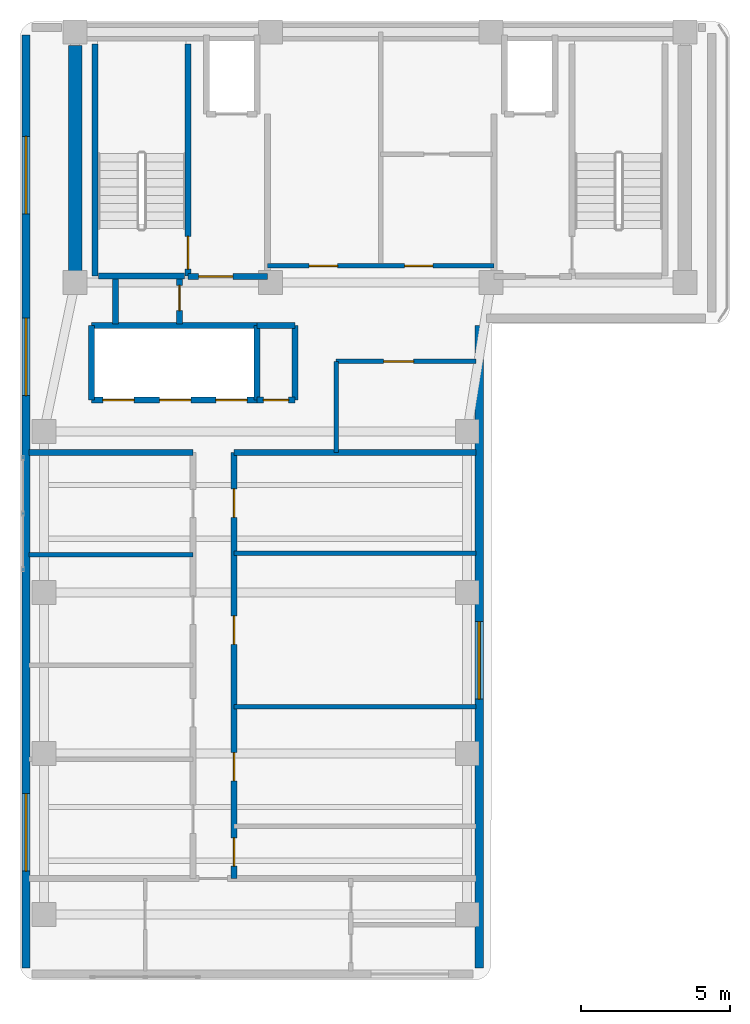
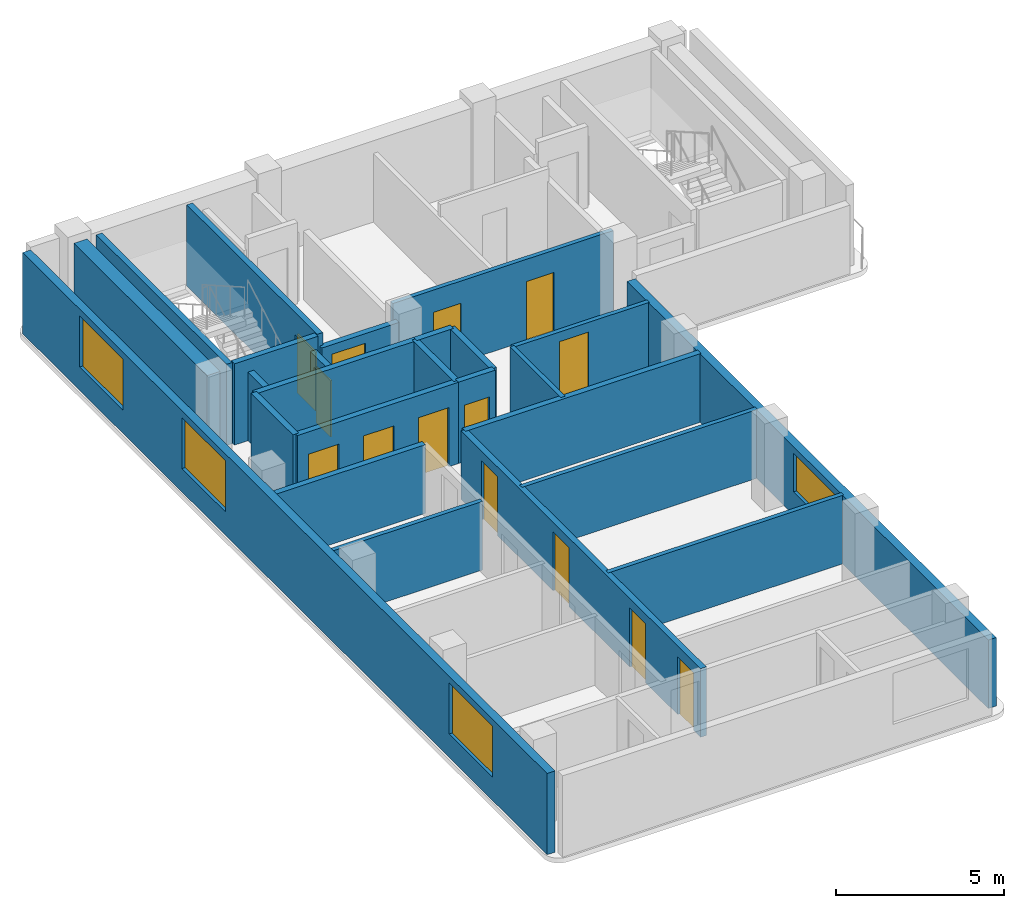
# One storey, part 7 of 9: 25 walls, 14 doors, 4 windows, 18 openings.
"""IFC4 building model written with IfcOpenShell, lengths in metres."""

from ifc_helpers import new_model, si_unit, direction, frame, frame_2d, origin, place, context, subcontext, project, spatial, rectangle, extrude, material, layer, layer_set, type_object, element, fill, save


model = new_model("IFC4")

# Units and contexts
model_context = context("Model", 3, precision=1e-05, world=origin(), true_north=direction((0.0, 1.0)))
body_context = subcontext(model_context, "Body", "Model", "MODEL_VIEW")
ifc_project = project(units=[si_unit("LENGTHUNIT", "METRE"), si_unit("AREAUNIT", "SQUARE_METRE"), si_unit("VOLUMEUNIT", "CUBIC_METRE"), si_unit("PLANEANGLEUNIT", "RADIAN"), si_unit("MASSUNIT", "GRAM", prefix="KILO")], contexts=[model_context])

# Site, building, storey
site_placement = place(None, origin())
site = spatial("IfcSite", under=ifc_project, at=site_placement, CompositionType="ELEMENT")
building_placement = place(site_placement, origin())
building = spatial("IfcBuilding", under=site, at=building_placement, Name="Kuzgunbayir Cultural Tower", CompositionType="ELEMENT")
storey_placement = place(building_placement, frame((0.0, 0.0, 247.199951171875)))
storey = spatial("IfcBuildingStorey", under=building, at=storey_placement, Name="L73", CompositionType="ELEMENT", Elevation=247.199951171875)

# Wall
ifc_material_1 = material(Name="Concrete C50/60", Category="concrete")
ifc_layer_1 = layer(ifc_material_1, 0.449951171875)
ifc_layer_set_1 = layer_set([ifc_layer_1], Name="Concrete C50/60")
wall_type_1 = type_object("IfcWallType", Name="WAL-CORE-450", PredefinedType="SHEAR", material=ifc_layer_set_1)
wall_1_placement = place(storey_placement, frame((6.449951171875, 33.800048828125, 0.0), z_axis=(0.0, 0.0, 1.0), x_axis=(0.0, 1.0, 0.0)))
element("IfcWall", 1, at=wall_1_placement, inside=storey, type_object=wall_type_1, Name="L73 T1 Core West Shear Wall", PredefinedType="SHEAR", context=body_context, shape_type="SweptSolid", body=[
    extrude(rectangle(XDim=7.949951171875, YDim=0.449951171875, at=frame_2d((3.97509765625, 0.0))), origin(), (0.0, 0.0, 1.0), 2.9599609375),
])

# Wall, openings, windows
ifc_material_2 = material(Name="Anatolian Cream Limestone", Category="masonry")
ifc_layer_2 = layer(ifc_material_2, 0.280029296875)
ifc_layer_set_2 = layer_set([ifc_layer_2], Name="Anatolian Cream Limestone")
wall_type_2 = type_object("IfcWallType", Name="WAL-EXT-STONE-280", PredefinedType="STANDARD", material=ifc_layer_set_2)
wall_2_placement = place(storey_placement, frame((4.800048828125, 42.10009765625, 0.0), z_axis=(0.0, 0.0, 1.0), x_axis=(0.0, -1.0, 0.0)))
wall_2 = element("IfcWall", 2, at=wall_2_placement, inside=storey, type_object=wall_type_2, Name="L73 Wing A West Limestone Wall", PredefinedType="STANDARD", context=body_context, shape_type="SweptSolid", body=[
    extrude(rectangle(XDim=31.300048828125, YDim=0.280029296875, at=frame_2d((15.64990234375, 0.0))), origin(), (0.0, 0.0, 1.0), 2.9599609375),
])
opening_1_placement = place(wall_2_placement, frame((25.449951171875, 0.0, 0.85009765625)))
opening_1 = element("IfcOpeningElement", 3, at=opening_1_placement, cuts=wall_2, Name="Opening WK-26", PredefinedType="OPENING", context=body_context, shape_type="SweptSolid", body=[
    extrude(rectangle(XDim=2.60009765625, YDim=1.860107421875, at=frame_2d((1.300048828125, 0.93017578125))), frame((0.0, 0.14990234375, 0.0), z_axis=(0.0, -1.0, 0.0), x_axis=(1.0, 0.0, 0.0)), (0.0, 0.0, 1.0), 0.300048828125),
])
opening_2_placement = place(wall_2_placement, frame((9.5, 0.0, 0.85009765625)))
opening_2 = element("IfcOpeningElement", 4, at=opening_2_placement, cuts=wall_2, Name="Opening WK-26", PredefinedType="OPENING", context=body_context, shape_type="SweptSolid", body=[
    extrude(rectangle(XDim=2.60009765625, YDim=1.860107421875, at=frame_2d((1.300048828125, 0.93017578125))), frame((0.0, 0.14990234375, 0.0), z_axis=(0.0, -1.0, 0.0), x_axis=(1.0, 0.0, 0.0)), (0.0, 0.0, 1.0), 0.300048828125),
])
opening_3_placement = place(wall_2_placement, frame((3.39990234375, 0.0, 0.85009765625)))
opening_3 = element("IfcOpeningElement", 5, at=opening_3_placement, cuts=wall_2, Name="Opening WK-26", PredefinedType="OPENING", context=body_context, shape_type="SweptSolid", body=[
    extrude(rectangle(XDim=2.60009765625, YDim=1.860107421875, at=frame_2d((1.300048828125, 0.93017578125))), frame((0.0, 0.14990234375, 0.0), z_axis=(0.0, -1.0, 0.0), x_axis=(1.0, 0.0, 0.0)), (0.0, 0.0, 1.0), 0.300048828125),
])
ifc_material_3 = material(Name="Solar-Control Triple Glazing", Category="glass")
window_type = type_object("IfcWindowType", Name="WIN-CROWN-26", PartitioningType="SINGLE_PANEL", PredefinedType="WINDOW", material=ifc_material_3)
window_1_placement = place(opening_1_placement, origin())
window_1 = element("IfcWindow", 6, at=window_1_placement, inside=storey, type_object=window_type, Name="L73 WAW Facade Window 2", OverallHeight=1.860107421875, OverallWidth=2.60009765625, PartitioningType="SINGLE_PANEL", PredefinedType="WINDOW", context=body_context, shape_type="SweptSolid", body=[
    extrude(rectangle(XDim=2.60009765625, YDim=1.860107421875, at=frame_2d((1.300048828125, 0.93017578125))), frame((0.0, 0.030029296875, 0.0), z_axis=(0.0, -1.0, 0.0), x_axis=(1.0, 0.0, 0.0)), (0.0, 0.0, 1.0), 0.06005859375),
])
fill(opening_1, window_1)
window_2_placement = place(opening_2_placement, origin())
window_2 = element("IfcWindow", 7, at=window_2_placement, inside=storey, type_object=window_type, Name="L73 WAW Facade Window 3", OverallHeight=1.860107421875, OverallWidth=2.60009765625, PartitioningType="SINGLE_PANEL", PredefinedType="WINDOW", context=body_context, shape_type="SweptSolid", body=[
    extrude(rectangle(XDim=2.60009765625, YDim=1.860107421875, at=frame_2d((1.300048828125, 0.93017578125))), frame((0.0, 0.030029296875, 0.0), z_axis=(0.0, -1.0, 0.0), x_axis=(1.0, 0.0, 0.0)), (0.0, 0.0, 1.0), 0.06005859375),
])
fill(opening_2, window_2)
window_3_placement = place(opening_3_placement, origin())
window_3 = element("IfcWindow", 8, at=window_3_placement, inside=storey, type_object=window_type, Name="L73 WAW Facade Window 4", OverallHeight=1.860107421875, OverallWidth=2.60009765625, PartitioningType="SINGLE_PANEL", PredefinedType="WINDOW", context=body_context, shape_type="SweptSolid", body=[
    extrude(rectangle(XDim=2.60009765625, YDim=1.860107421875, at=frame_2d((1.300048828125, 0.93017578125))), frame((0.0, 0.030029296875, 0.0), z_axis=(0.0, -1.0, 0.0), x_axis=(1.0, 0.0, 0.0)), (0.0, 0.0, 1.0), 0.06005859375),
])
fill(opening_3, window_3)

# Wall, opening, window
wall_3_placement = place(storey_placement, frame((20.0, 10.800048828125, 0.0), z_axis=(0.0, 0.0, 1.0), x_axis=(0.0, 1.0, 0.0)))
wall_3 = element("IfcWall", 9, at=wall_3_placement, inside=storey, type_object=wall_type_2, Name="L73 Wing A East Limestone Wall", PredefinedType="STANDARD", context=body_context, shape_type="SweptSolid", body=[
    extrude(rectangle(XDim=21.550048828125, YDim=0.280029296875, at=frame_2d((10.77490234375, 0.0))), origin(), (0.0, 0.0, 1.0), 2.5),
])
opening_4_placement = place(wall_3_placement, frame((9.02001953125, 0.0, 0.85009765625)))
opening_4 = element("IfcOpeningElement", 10, at=opening_4_placement, cuts=wall_3, Name="Opening WK-26", PredefinedType="OPENING", context=body_context, shape_type="SweptSolid", body=[
    extrude(rectangle(XDim=2.60009765625, YDim=1.39990234375, at=frame_2d((1.300048828125, 0.699951171875))), frame((0.0, 0.14990234375, 0.0), z_axis=(0.0, -1.0, 0.0), x_axis=(1.0, 0.0, 0.0)), (0.0, 0.0, 1.0), 0.300048828125),
])
window_4_placement = place(opening_4_placement, origin())
window_4 = element("IfcWindow", 11, at=window_4_placement, inside=storey, type_object=window_type, Name="L73 WAE Facade Window 5", OverallHeight=1.39990234375, OverallWidth=2.60009765625, PartitioningType="SINGLE_PANEL", PredefinedType="WINDOW", context=body_context, shape_type="SweptSolid", body=[
    extrude(rectangle(XDim=2.60009765625, YDim=1.39990234375, at=frame_2d((1.300048828125, 0.699951171875))), frame((0.0, 0.030029296875, 0.0), z_axis=(0.0, -1.0, 0.0), x_axis=(1.0, 0.0, 0.0)), (0.0, 0.0, 1.0), 0.06005859375),
])
fill(opening_4, window_4)

# Wall, openings, doors
ifc_material_4 = material(Name="Acoustic Double-Stud Drywall", Category="gypsum")
ifc_layer_3 = layer(ifc_material_4, 0.14990234375)
ifc_layer_set_3 = layer_set([ifc_layer_3], Name="Acoustic Double-Stud Drywall")
wall_type_3 = type_object("IfcWallType", Name="WAL-PART-ACOUSTIC-150", PredefinedType="PARTITIONING", material=ifc_layer_set_3)
wall_4_placement = place(storey_placement, frame((12.89990234375, 34.35009765625, 0.0), z_axis=(0.0, 0.0, 1.0), x_axis=(1.0, 0.0, 0.0)))
wall_4 = element("IfcWall", 12, at=wall_4_placement, inside=storey, type_object=wall_type_3, Name="L73 Sky Core South Wall", PredefinedType="PARTITIONING", context=body_context, shape_type="SweptSolid", body=[
    extrude(rectangle(XDim=7.60009765625, YDim=0.14990234375, at=frame_2d((3.800048828125, 0.0))), origin(), (0.0, 0.0, 1.0), 2.9599609375),
])
opening_5_placement = place(wall_4_placement, frame((1.39990234375, 0.0, 0.0)))
opening_5 = element("IfcOpeningElement", 13, at=opening_5_placement, cuts=wall_4, Name="Opening DC-95", PredefinedType="OPENING", context=body_context, shape_type="SweptSolid", body=[
    extrude(rectangle(XDim=0.949951171875, YDim=2.14990234375, at=frame_2d((0.47509765625, 1.074951171875))), frame((0.0, 0.0849609375, 0.0), z_axis=(0.0, -1.0, 0.0), x_axis=(1.0, 0.0, 0.0)), (0.0, 0.0, 1.0), 0.169921875),
])
opening_6_placement = place(wall_4_placement, frame((4.60009765625, 0.0, 0.0)))
opening_6 = element("IfcOpeningElement", 14, at=opening_6_placement, cuts=wall_4, Name="Opening DC-95", PredefinedType="OPENING", context=body_context, shape_type="SweptSolid", body=[
    extrude(rectangle(XDim=0.949951171875, YDim=2.14990234375, at=frame_2d((0.47509765625, 1.074951171875))), frame((0.0, 0.0849609375, 0.0), z_axis=(0.0, -1.0, 0.0), x_axis=(1.0, 0.0, 0.0)), (0.0, 0.0, 1.0), 0.169921875),
])
ifc_material_5 = material(Name="Fire-Rated Veneered Oak Leaf", Category="wood")
door_type_1 = type_object("IfcDoorType", Name="DR-CORE-95", OperationType="NOTDEFINED", PredefinedType="DOOR", material=ifc_material_5)
door_1_placement = place(opening_5_placement, origin())
door_1 = element("IfcDoor", 15, at=door_1_placement, inside=storey, type_object=door_type_1, Name="L73 Library Alcove Door", OperationType="SINGLE_SWING_RIGHT", OverallHeight=2.14990234375, OverallWidth=0.949951171875, PredefinedType="DOOR", context=body_context, shape_type="SweptSolid", body=[
    extrude(rectangle(XDim=0.949951171875, YDim=2.14990234375, at=frame_2d((0.47509765625, 1.074951171875))), frame((0.0, 0.02490234375, 0.0), z_axis=(0.0, -1.0, 0.0), x_axis=(1.0, 0.0, 0.0)), (0.0, 0.0, 1.0), 0.050048828125),
])
fill(opening_5, door_1)
door_2_placement = place(opening_6_placement, origin())
door_2 = element("IfcDoor", 16, at=door_2_placement, inside=storey, type_object=door_type_1, Name="L73 Music Practice Room Door", OperationType="SINGLE_SWING_LEFT", OverallHeight=2.14990234375, OverallWidth=0.949951171875, PredefinedType="DOOR", context=body_context, shape_type="SweptSolid", body=[
    extrude(rectangle(XDim=0.949951171875, YDim=2.14990234375, at=frame_2d((0.47509765625, 1.074951171875))), frame((0.0, 0.02490234375, 0.0), z_axis=(0.0, -1.0, 0.0), x_axis=(1.0, 0.0, 0.0)), (0.0, 0.0, 1.0), 0.050048828125),
])
fill(opening_6, door_2)

# Wall, opening, door
wall_5_placement = place(storey_placement, frame((15.199951171875, 31.14990234375, 0.0), z_axis=(0.0, 0.0, 1.0), x_axis=(1.0, 0.0, 0.0)))
wall_5 = element("IfcWall", 17, at=wall_5_placement, inside=storey, type_object=wall_type_3, Name="L73 Central Sky Salon North Wall", PredefinedType="PARTITIONING", context=body_context, shape_type="SweptSolid", body=[
    extrude(rectangle(XDim=4.699951171875, YDim=0.14990234375, at=frame_2d((2.35009765625, 0.0))), origin(), (0.0, 0.0, 1.0), 2.5),
])
opening_7_placement = place(wall_5_placement, frame((1.60009765625, 0.0, 0.0)))
opening_7 = element("IfcOpeningElement", 18, at=opening_7_placement, cuts=wall_5, Name="Opening DI-100", PredefinedType="OPENING", context=body_context, shape_type="SweptSolid", body=[
    extrude(rectangle(XDim=1.0, YDim=2.14990234375, at=frame_2d((0.5, 1.074951171875))), frame((0.0, 0.0849609375, 0.0), z_axis=(0.0, -1.0, 0.0), x_axis=(1.0, 0.0, 0.0)), (0.0, 0.0, 1.0), 0.169921875),
])
ifc_material_6 = material(Name="Veneered Oak Single Leaf", Category="wood")
door_type_2 = type_object("IfcDoorType", Name="DR-INT-100", OperationType="NOTDEFINED", PredefinedType="DOOR", material=ifc_material_6)
door_3_placement = place(opening_7_placement, origin())
door_3 = element("IfcDoor", 19, at=door_3_placement, inside=storey, type_object=door_type_2, Name="L73 Central Sky Salon Door", OperationType="SINGLE_SWING_LEFT", OverallHeight=2.14990234375, OverallWidth=1.0, PredefinedType="DOOR", context=body_context, shape_type="SweptSolid", body=[
    extrude(rectangle(XDim=1.0, YDim=2.14990234375, at=frame_2d((0.5, 1.074951171875))), frame((0.0, 0.02490234375, 0.0), z_axis=(0.0, -1.0, 0.0), x_axis=(1.0, 0.0, 0.0)), (0.0, 0.0, 1.0), 0.050048828125),
])
fill(opening_7, door_3)

# Walls
wall_6_placement = place(storey_placement, frame((15.199951171875, 28.10009765625, 0.0), z_axis=(0.0, 0.0, 1.0), x_axis=(0.0, 1.0, 0.0)))
element("IfcWall", 20, at=wall_6_placement, inside=storey, type_object=wall_type_3, Name="L73 Central Sky Salon West Wall", PredefinedType="PARTITIONING", context=body_context, shape_type="SweptSolid", body=[
    extrude(rectangle(XDim=3.0498046875, YDim=0.14990234375, at=frame_2d((1.52490234375, 0.0))), origin(), (0.0, 0.0, 1.0), 2.5),
])
wall_7_placement = place(storey_placement, frame((4.89990234375, 24.669921875, 0.0), z_axis=(0.0, 0.0, 1.0), x_axis=(1.0, 0.0, 0.0)))
element("IfcWall", 21, at=wall_7_placement, inside=storey, type_object=wall_type_3, Name="L73 West Study Partition 3", PredefinedType="PARTITIONING", context=body_context, shape_type="SweptSolid", body=[
    extrude(rectangle(XDim=5.5, YDim=0.14990234375, at=frame_2d((2.75, 0.0))), origin(), (0.0, 0.0, 1.0), 2.5),
])
for number, where, z_axis, x_axis, name in (
    (22, (11.780029296875, 19.570068359375, 0.0), (0.0, 0.0, 1.0), (1.0, 0.0, 0.0), "L73 East Divider 1"),
    (23, (11.780029296875, 24.7099609375, 0.0), (0.0, 0.0, 1.0), (1.0, 0.0, 0.0), "L73 East Divider 2"),
):
    element("IfcWall", number, at=place(storey_placement, frame(where, z_axis=z_axis, x_axis=x_axis)), inside=storey, type_object=wall_type_3, Name=name, PredefinedType="PARTITIONING", context=body_context, shape_type="SweptSolid", body=[
        extrude(rectangle(XDim=8.119873046875, YDim=0.14990234375, at=frame_2d((4.06005859375, 0.0))), origin(), (0.0, 0.0, 1.0), 2.5),
    ])

# Wall, opening, door
ifc_material_7 = material(Name="Aerated Concrete Blockwork", Category="masonry")
ifc_layer_4 = layer(ifc_material_7, 0.199951171875)
ifc_layer_set_4 = layer_set([ifc_layer_4], Name="Aerated Concrete Blockwork")
wall_type_4 = type_object("IfcWallType", Name="WAL-PART-FIRE-200", PredefinedType="PARTITIONING", material=ifc_layer_set_4)
wall_8_placement = place(storey_placement, frame((10.239990234375, 34.0, 0.0), z_axis=(0.0, 0.0, 1.0), x_axis=(1.0, 0.0, 0.0)))
wall_8 = element("IfcWall", 24, at=wall_8_placement, inside=storey, type_object=wall_type_4, Name="L73 FFL-1 Lobby South Fire Wall", PredefinedType="PARTITIONING", context=body_context, shape_type="SweptSolid", body=[
    extrude(rectangle(XDim=2.659912109375, YDim=0.199951171875, at=frame_2d((1.330078125, 0.0))), origin(), (0.0, 0.0, 1.0), 2.5),
])
opening_8_placement = place(wall_8_placement, frame((0.35009765625, 0.0, 0.0)))
opening_8 = element("IfcOpeningElement", 25, at=opening_8_placement, cuts=wall_8, Name="Opening DR-FFL-90", PredefinedType="OPENING", context=body_context, shape_type="SweptSolid", body=[
    extrude(rectangle(XDim=1.14990234375, YDim=2.14990234375, at=frame_2d((0.574951171875, 1.074951171875))), frame((0.0, 0.10986328125, 0.0), z_axis=(0.0, -1.0, 0.0), x_axis=(1.0, 0.0, 0.0)), (0.0, 0.0, 1.0), 0.219970703125),
])
ifc_material_8 = material(Name="Steel S355J2", Category="steel")
door_type_3 = type_object("IfcDoorType", Name="DR-FFL-90", OperationType="NOTDEFINED", PredefinedType="DOOR", material=ifc_material_8)
door_4_placement = place(opening_8_placement, origin())
door_4 = element("IfcDoor", 26, at=door_4_placement, inside=storey, type_object=door_type_3, Name="L73 Firefighting Lobby 1 Door", OperationType="SINGLE_SWING_RIGHT", OverallHeight=2.14990234375, OverallWidth=1.14990234375, PredefinedType="DOOR", context=body_context, shape_type="SweptSolid", body=[
    extrude(rectangle(XDim=1.14990234375, YDim=2.14990234375, at=frame_2d((0.574951171875, 1.074951171875))), frame((0.0, 0.02490234375, 0.0), z_axis=(0.0, -1.0, 0.0), x_axis=(1.0, 0.0, 0.0)), (0.0, 0.0, 1.0), 0.050048828125),
])
fill(opening_8, door_4)

wall_9_placement = place(storey_placement, frame((12.550048828125, 29.85009765625, 0.0), z_axis=(0.0, 0.0, 1.0), x_axis=(1.0, 0.0, 0.0)))
wall_9 = element("IfcWall", 27, at=wall_9_placement, inside=storey, type_object=wall_type_4, Name="L73 Center Core Switchgear South Wall", PredefinedType="PARTITIONING", context=body_context, shape_type="SweptSolid", body=[
    extrude(rectangle(XDim=1.27001953125, YDim=0.199951171875, at=frame_2d((0.635009765625, 0.0))), origin(), (0.0, 0.0, 1.0), 2.9599609375),
])
opening_9_placement = place(wall_9_placement, frame((0.2099609375, 0.0, 0.0)))
opening_9 = element("IfcOpeningElement", 28, at=opening_9_placement, cuts=wall_9, Name="Opening DR-RSR-60", PredefinedType="OPENING", context=body_context, shape_type="SweptSolid", body=[
    extrude(rectangle(XDim=0.85009765625, YDim=2.050048828125, at=frame_2d((0.425048828125, 1.02490234375))), frame((0.0, 0.10986328125, 0.0), z_axis=(0.0, -1.0, 0.0), x_axis=(1.0, 0.0, 0.0)), (0.0, 0.0, 1.0), 0.219970703125),
])
ifc_material_9 = material(Name="Steel Access Leaf", Category="steel")
door_type_4 = type_object("IfcDoorType", Name="DR-RISER-60", OperationType="NOTDEFINED", PredefinedType="DOOR", material=ifc_material_9)
door_5_placement = place(opening_9_placement, origin())
door_5 = element("IfcDoor", 29, at=door_5_placement, inside=storey, type_object=door_type_4, Name="L73 Electrical Switchgear Closet Door", OperationType="SINGLE_SWING_RIGHT", OverallHeight=2.050048828125, OverallWidth=0.85009765625, PredefinedType="DOOR", context=body_context, shape_type="SweptSolid", body=[
    extrude(rectangle(XDim=0.85009765625, YDim=2.050048828125, at=frame_2d((0.425048828125, 1.02490234375))), frame((0.0, 0.02490234375, 0.0), z_axis=(0.0, -1.0, 0.0), x_axis=(1.0, 0.0, 0.0)), (0.0, 0.0, 1.0), 0.050048828125),
])
fill(opening_9, door_5)

# Walls
wall_10_placement = place(storey_placement, frame((13.820068359375, 29.85009765625, 0.0), z_axis=(0.0, 0.0, 1.0), x_axis=(0.0, 1.0, 0.0)))
element("IfcWall", 30, at=wall_10_placement, inside=storey, type_object=wall_type_4, Name="L73 Center Core Switchgear East Wall", PredefinedType="PARTITIONING", context=body_context, shape_type="SweptSolid", body=[
    extrude(rectangle(XDim=2.5, YDim=0.199951171875, at=frame_2d((1.25, 0.0))), origin(), (0.0, 0.0, 1.0), 2.9599609375),
])
wall_11_placement = place(storey_placement, frame((12.550048828125, 32.35009765625, 0.0), z_axis=(0.0, 0.0, 1.0), x_axis=(1.0, 0.0, 0.0)))
element("IfcWall", 31, at=wall_11_placement, inside=storey, type_object=wall_type_4, Name="L73 Center Core Switchgear North Wall", PredefinedType="PARTITIONING", context=body_context, shape_type="SweptSolid", body=[
    extrude(rectangle(XDim=1.27001953125, YDim=0.199951171875, at=frame_2d((0.635009765625, 0.0))), origin(), (0.0, 0.0, 1.0), 2.9599609375),
])
wall_12_placement = place(storey_placement, frame((7.800048828125, 32.39990234375, 0.0), z_axis=(0.0, 0.0, 1.0), x_axis=(0.0, 1.0, 0.0)))
element("IfcWall", 32, at=wall_12_placement, inside=storey, type_object=wall_type_4, Name="L73 West Core Electrical Closet West Wall", PredefinedType="PARTITIONING", context=body_context, shape_type="SweptSolid", body=[
    extrude(rectangle(XDim=1.52001953125, YDim=0.199951171875, at=frame_2d((0.760009765625, 0.0))), origin(), (0.0, 0.0, 1.0), 2.5),
])

# Wall, opening, door
wall_13_placement = place(storey_placement, frame((9.949951171875, 32.39990234375, 0.0), z_axis=(0.0, 0.0, 1.0), x_axis=(0.0, 1.0, 0.0)))
wall_13 = element("IfcWall", 33, at=wall_13_placement, inside=storey, type_object=wall_type_4, Name="L73 West Core Electrical Closet East Wall", PredefinedType="PARTITIONING", context=body_context, shape_type="SweptSolid", body=[
    extrude(rectangle(XDim=1.52001953125, YDim=0.199951171875, at=frame_2d((0.760009765625, 0.0))), origin(), (0.0, 0.0, 1.0), 2.5),
])
opening_10_placement = place(wall_13_placement, frame((0.449951171875, 0.0, 0.0)))
opening_10 = element("IfcOpeningElement", 34, at=opening_10_placement, cuts=wall_13, Name="Opening DR-RSR-60", PredefinedType="OPENING", context=body_context, shape_type="SweptSolid", body=[
    extrude(rectangle(XDim=0.85009765625, YDim=2.050048828125, at=frame_2d((0.425048828125, 1.02490234375))), frame((0.0, 0.10986328125, 0.0), z_axis=(0.0, -1.0, 0.0), x_axis=(1.0, 0.0, 0.0)), (0.0, 0.0, 1.0), 0.219970703125),
])
door_6_placement = place(opening_10_placement, origin())
door_6 = element("IfcDoor", 35, at=door_6_placement, inside=storey, type_object=door_type_4, Name="L73 West Core Switchgear Closet Door", OperationType="SINGLE_SWING_LEFT", OverallHeight=2.050048828125, OverallWidth=0.85009765625, PredefinedType="DOOR", context=body_context, shape_type="SweptSolid", body=[
    extrude(rectangle(XDim=0.85009765625, YDim=2.050048828125, at=frame_2d((0.425048828125, 1.02490234375))), frame((0.0, 0.02490234375, 0.0), z_axis=(0.0, -1.0, 0.0), x_axis=(1.0, 0.0, 0.0)), (0.0, 0.0, 1.0), 0.050048828125),
])
fill(opening_10, door_6)

# Wall, openings, doors
wall_14_placement = place(storey_placement, frame((11.780029296875, 13.800048828125, 0.0), z_axis=(0.0, 0.0, 1.0), x_axis=(0.0, 1.0, 0.0)))
wall_14 = element("IfcWall", 36, at=wall_14_placement, inside=storey, type_object=wall_type_4, Name="L73 Wing A East Corridor Wall", PredefinedType="PARTITIONING", context=body_context, shape_type="SweptSolid", body=[
    extrude(rectangle(XDim=14.300048828125, YDim=0.199951171875, at=frame_2d((7.14990234375, 0.0))), origin(), (0.0, 0.0, 1.0), 2.5),
])
opening_11_placement = place(wall_14_placement, frame((0.419921875, 0.0, 0.0)))
opening_11 = element("IfcOpeningElement", 37, at=opening_11_placement, cuts=wall_14, Name="Opening DW-95", PredefinedType="OPENING", context=body_context, shape_type="SweptSolid", body=[
    extrude(rectangle(XDim=0.949951171875, YDim=2.10009765625, at=frame_2d((0.47509765625, 1.050048828125))), frame((0.0, 0.10986328125, 0.0), z_axis=(0.0, -1.0, 0.0), x_axis=(1.0, 0.0, 0.0)), (0.0, 0.0, 1.0), 0.219970703125),
])
opening_12_placement = place(wall_14_placement, frame((3.280029296875, 0.0, 0.0)))
opening_12 = element("IfcOpeningElement", 38, at=opening_12_placement, cuts=wall_14, Name="Opening DI-90", PredefinedType="OPENING", context=body_context, shape_type="SweptSolid", body=[
    extrude(rectangle(XDim=0.949951171875, YDim=2.14990234375, at=frame_2d((0.47509765625, 1.074951171875))), frame((0.0, 0.10986328125, 0.0), z_axis=(0.0, -1.0, 0.0), x_axis=(1.0, 0.0, 0.0)), (0.0, 0.0, 1.0), 0.219970703125),
])
opening_13_placement = place(wall_14_placement, frame((7.860107421875, 0.0, 0.0)))
opening_13 = element("IfcOpeningElement", 39, at=opening_13_placement, cuts=wall_14, Name="Opening DI-90", PredefinedType="OPENING", context=body_context, shape_type="SweptSolid", body=[
    extrude(rectangle(XDim=0.949951171875, YDim=2.14990234375, at=frame_2d((0.47509765625, 1.074951171875))), frame((0.0, 0.10986328125, 0.0), z_axis=(0.0, -1.0, 0.0), x_axis=(1.0, 0.0, 0.0)), (0.0, 0.0, 1.0), 0.219970703125),
])
opening_14_placement = place(wall_14_placement, frame((12.1201171875, 0.0, 0.0)))
opening_14 = element("IfcOpeningElement", 40, at=opening_14_placement, cuts=wall_14, Name="Opening DI-90", PredefinedType="OPENING", context=body_context, shape_type="SweptSolid", body=[
    extrude(rectangle(XDim=0.949951171875, YDim=2.14990234375, at=frame_2d((0.47509765625, 1.074951171875))), frame((0.0, 0.10986328125, 0.0), z_axis=(0.0, -1.0, 0.0), x_axis=(1.0, 0.0, 0.0)), (0.0, 0.0, 1.0), 0.219970703125),
])
door_type_5 = type_object("IfcDoorType", Name="DR-INT-90", OperationType="NOTDEFINED", PredefinedType="DOOR", material=ifc_material_6)
door_7_placement = place(opening_12_placement, origin())
door_7 = element("IfcDoor", 41, at=door_7_placement, inside=storey, type_object=door_type_5, Name="L73 East Seminar Boardroom E1 Door", OperationType="SINGLE_SWING_LEFT", OverallHeight=2.14990234375, OverallWidth=0.949951171875, PredefinedType="DOOR", context=body_context, shape_type="SweptSolid", body=[
    extrude(rectangle(XDim=0.949951171875, YDim=2.14990234375, at=frame_2d((0.47509765625, 1.074951171875))), frame((0.0, 0.02490234375, 0.0), z_axis=(0.0, -1.0, 0.0), x_axis=(1.0, 0.0, 0.0)), (0.0, 0.0, 1.0), 0.050048828125),
])
fill(opening_12, door_7)
door_8_placement = place(opening_13_placement, origin())
door_8 = element("IfcDoor", 42, at=door_8_placement, inside=storey, type_object=door_type_5, Name="L73 East Curatorial Office E2 Door", OperationType="SINGLE_SWING_RIGHT", OverallHeight=2.14990234375, OverallWidth=0.949951171875, PredefinedType="DOOR", context=body_context, shape_type="SweptSolid", body=[
    extrude(rectangle(XDim=0.949951171875, YDim=2.14990234375, at=frame_2d((0.47509765625, 1.074951171875))), frame((0.0, 0.02490234375, 0.0), z_axis=(0.0, -1.0, 0.0), x_axis=(1.0, 0.0, 0.0)), (0.0, 0.0, 1.0), 0.050048828125),
])
fill(opening_13, door_8)
door_9_placement = place(opening_14_placement, origin())
door_9 = element("IfcDoor", 43, at=door_9_placement, inside=storey, type_object=door_type_5, Name="L73 East Seminar Boardroom E3 Door", OperationType="SINGLE_SWING_LEFT", OverallHeight=2.14990234375, OverallWidth=0.949951171875, PredefinedType="DOOR", context=body_context, shape_type="SweptSolid", body=[
    extrude(rectangle(XDim=0.949951171875, YDim=2.14990234375, at=frame_2d((0.47509765625, 1.074951171875))), frame((0.0, 0.02490234375, 0.0), z_axis=(0.0, -1.0, 0.0), x_axis=(1.0, 0.0, 0.0)), (0.0, 0.0, 1.0), 0.050048828125),
])
fill(opening_14, door_9)
ifc_material_10 = material(Name="Laminate Moisture-Resistant Leaf", Category="wood")
door_type_6 = type_object("IfcDoorType", Name="DR-WET-95", OperationType="NOTDEFINED", PredefinedType="DOOR", material=ifc_material_10)
door_10_placement = place(opening_11_placement, origin())
door_10 = element("IfcDoor", 44, at=door_10_placement, inside=storey, type_object=door_type_6, Name="L73 Visitor Accessible WC Door", OperationType="SINGLE_SWING_RIGHT", OverallHeight=2.10009765625, OverallWidth=0.949951171875, PredefinedType="DOOR", context=body_context, shape_type="SweptSolid", body=[
    extrude(rectangle(XDim=0.949951171875, YDim=2.10009765625, at=frame_2d((0.47509765625, 1.050048828125))), frame((0.0, 0.02490234375, 0.0), z_axis=(0.0, -1.0, 0.0), x_axis=(1.0, 0.0, 0.0)), (0.0, 0.0, 1.0), 0.050048828125),
])
fill(opening_11, door_10)

# Walls
wall_15_placement = place(storey_placement, frame((4.89990234375, 28.10009765625, 0.0), z_axis=(0.0, 0.0, 1.0), x_axis=(1.0, 0.0, 0.0)))
element("IfcWall", 45, at=wall_15_placement, inside=storey, type_object=wall_type_4, Name="L73 North West Partition", PredefinedType="PARTITIONING", context=body_context, shape_type="SweptSolid", body=[
    extrude(rectangle(XDim=5.5, YDim=0.199951171875, at=frame_2d((2.75, 0.0))), origin(), (0.0, 0.0, 1.0), 2.5),
])
wall_16_placement = place(storey_placement, frame((11.780029296875, 28.10009765625, 0.0), z_axis=(0.0, 0.0, 1.0), x_axis=(1.0, 0.0, 0.0)))
element("IfcWall", 46, at=wall_16_placement, inside=storey, type_object=wall_type_4, Name="L73 North East Partition", PredefinedType="PARTITIONING", context=body_context, shape_type="SweptSolid", body=[
    extrude(rectangle(XDim=8.119873046875, YDim=0.199951171875, at=frame_2d((4.06005859375, 0.0))), origin(), (0.0, 0.0, 1.0), 2.5),
])

# Wall, openings, doors
ifc_material_11 = material(Name="Concrete C40/50", Category="concrete")
ifc_layer_5 = layer(ifc_material_11, 0.199951171875)
ifc_layer_set_5 = layer_set([ifc_layer_5], Name="Concrete C40/50")
wall_type_5 = type_object("IfcWallType", Name="WAL-SHAFT-200", PredefinedType="MOVABLE", material=ifc_layer_set_5)
wall_17_placement = place(storey_placement, frame((7.0, 29.85009765625, 0.0), z_axis=(0.0, 0.0, 1.0), x_axis=(1.0, 0.0, 0.0)))
wall_17 = element("IfcWall", 47, at=wall_17_placement, inside=storey, type_object=wall_type_5, Name="L73 High-Rise Lift Shaft South Wall", PredefinedType="MOVABLE", context=body_context, shape_type="SweptSolid", body=[
    extrude(rectangle(XDim=5.550048828125, YDim=0.199951171875, at=frame_2d((2.77490234375, 0.0))), origin(), (0.0, 0.0, 1.0), 2.9599609375),
])
opening_15_placement = place(wall_17_placement, frame((0.3798828125, 0.0, 0.0)))
opening_15 = element("IfcOpeningElement", 48, at=opening_15_placement, cuts=wall_17, Name="Opening LD", PredefinedType="OPENING", context=body_context, shape_type="SweptSolid", body=[
    extrude(rectangle(XDim=1.050048828125, YDim=2.14990234375, at=frame_2d((0.52490234375, 1.074951171875))), frame((0.0, 0.10986328125, 0.0), z_axis=(0.0, -1.0, 0.0), x_axis=(1.0, 0.0, 0.0)), (0.0, 0.0, 1.0), 0.219970703125),
])
opening_16_placement = place(wall_17_placement, frame((2.280029296875, 0.0, 0.0)))
opening_16 = element("IfcOpeningElement", 49, at=opening_16_placement, cuts=wall_17, Name="Opening LD", PredefinedType="OPENING", context=body_context, shape_type="SweptSolid", body=[
    extrude(rectangle(XDim=1.050048828125, YDim=2.14990234375, at=frame_2d((0.52490234375, 1.074951171875))), frame((0.0, 0.10986328125, 0.0), z_axis=(0.0, -1.0, 0.0), x_axis=(1.0, 0.0, 0.0)), (0.0, 0.0, 1.0), 0.219970703125),
])
opening_17_placement = place(wall_17_placement, frame((4.169921875, 0.0, 0.0)))
opening_17 = element("IfcOpeningElement", 50, at=opening_17_placement, cuts=wall_17, Name="Opening LD", PredefinedType="OPENING", context=body_context, shape_type="SweptSolid", body=[
    extrude(rectangle(XDim=1.050048828125, YDim=2.14990234375, at=frame_2d((0.52490234375, 1.074951171875))), frame((0.0, 0.10986328125, 0.0), z_axis=(0.0, -1.0, 0.0), x_axis=(1.0, 0.0, 0.0)), (0.0, 0.0, 1.0), 0.219970703125),
])
ifc_material_12 = material(Name="Brushed Stainless Steel", Category="steel")
door_type_7 = type_object("IfcDoorType", Name="DR-LIFT-LANDING", OperationType="SLIDING_TO_LEFT", PredefinedType="DOOR", material=ifc_material_12)
door_11_placement = place(opening_15_placement, origin())
door_11 = element("IfcDoor", 51, at=door_11_placement, inside=storey, type_object=door_type_7, Name="L73 Lift PH-1 Landing Door", OperationType="SLIDING_TO_LEFT", OverallHeight=2.14990234375, OverallWidth=1.050048828125, PredefinedType="DOOR", context=body_context, shape_type="SweptSolid", body=[
    extrude(rectangle(XDim=1.050048828125, YDim=2.14990234375, at=frame_2d((0.52490234375, 1.074951171875))), frame((0.0, 0.02490234375, 0.0), z_axis=(0.0, -1.0, 0.0), x_axis=(1.0, 0.0, 0.0)), (0.0, 0.0, 1.0), 0.050048828125),
])
fill(opening_15, door_11)
door_12_placement = place(opening_16_placement, origin())
door_12 = element("IfcDoor", 52, at=door_12_placement, inside=storey, type_object=door_type_7, Name="L73 Lift PH-2 Landing Door", OperationType="SLIDING_TO_LEFT", OverallHeight=2.14990234375, OverallWidth=1.050048828125, PredefinedType="DOOR", context=body_context, shape_type="SweptSolid", body=[
    extrude(rectangle(XDim=1.050048828125, YDim=2.14990234375, at=frame_2d((0.52490234375, 1.074951171875))), frame((0.0, 0.02490234375, 0.0), z_axis=(0.0, -1.0, 0.0), x_axis=(1.0, 0.0, 0.0)), (0.0, 0.0, 1.0), 0.050048828125),
])
fill(opening_16, door_12)
door_13_placement = place(opening_17_placement, origin())
door_13 = element("IfcDoor", 53, at=door_13_placement, inside=storey, type_object=door_type_7, Name="L73 Lift PH-3 Landing Door", OperationType="SLIDING_TO_LEFT", OverallHeight=2.14990234375, OverallWidth=1.050048828125, PredefinedType="DOOR", context=body_context, shape_type="SweptSolid", body=[
    extrude(rectangle(XDim=1.050048828125, YDim=2.14990234375, at=frame_2d((0.52490234375, 1.074951171875))), frame((0.0, 0.02490234375, 0.0), z_axis=(0.0, -1.0, 0.0), x_axis=(1.0, 0.0, 0.0)), (0.0, 0.0, 1.0), 0.050048828125),
])
fill(opening_17, door_13)

# Walls
wall_18_placement = place(storey_placement, frame((7.0, 32.35009765625, 0.0), z_axis=(0.0, 0.0, 1.0), x_axis=(1.0, 0.0, 0.0)))
element("IfcWall", 54, at=wall_18_placement, inside=storey, type_object=wall_type_5, Name="L73 High-Rise Lift Shaft North Wall", PredefinedType="MOVABLE", context=body_context, shape_type="SweptSolid", body=[
    extrude(rectangle(XDim=5.550048828125, YDim=0.199951171875, at=frame_2d((2.77490234375, 0.0))), origin(), (0.0, 0.0, 1.0), 2.9599609375),
])
for number, where, z_axis, x_axis, name in (
    (55, (7.0, 29.85009765625, 0.0), (0.0, 0.0, 1.0), (0.0, 1.0, 0.0), "L73 High-Rise Lift Shaft West Wall"),
    (56, (12.550048828125, 29.85009765625, 0.0), (0.0, 0.0, 1.0), (0.0, 1.0, 0.0), "L73 High-Rise Lift Shaft East Wall"),
):
    element("IfcWall", number, at=place(storey_placement, frame(where, z_axis=z_axis, x_axis=x_axis)), inside=storey, type_object=wall_type_5, Name=name, PredefinedType="MOVABLE", context=body_context, shape_type="SweptSolid", body=[
        extrude(rectangle(XDim=2.5, YDim=0.199951171875, at=frame_2d((1.25, 0.0))), origin(), (0.0, 0.0, 1.0), 2.9599609375),
    ])
ifc_layer_6 = layer(ifc_material_11, 0.199951171875)
ifc_layer_set_6 = layer_set([ifc_layer_6], Name="Concrete C40/50")
wall_type_6 = type_object("IfcWallType", Name="WAL-STAIR-RC-200", PredefinedType="SHEAR", material=ifc_layer_set_6)
wall_19_placement = place(storey_placement, frame((7.1201171875, 34.02001953125, 0.0), z_axis=(0.0, 0.0, 1.0), x_axis=(0.0, 1.0, 0.0)))
element("IfcWall", 57, at=wall_19_placement, inside=storey, type_object=wall_type_6, Name="L73 Stair ST-1 West Structural Wall", PredefinedType="SHEAR", context=body_context, shape_type="SweptSolid", body=[
    extrude(rectangle(XDim=7.780029296875, YDim=0.199951171875, at=frame_2d((3.89013671875, 0.0))), origin(), (0.0, 0.0, 1.0), 2.9599609375),
])

# Wall, opening, door
wall_20_placement = place(storey_placement, frame((10.239990234375, 34.02001953125, 0.0), z_axis=(0.0, 0.0, 1.0), x_axis=(0.0, 1.0, 0.0)))
wall_20 = element("IfcWall", 58, at=wall_20_placement, inside=storey, type_object=wall_type_6, Name="L73 Stair ST-1 East Structural Wall", PredefinedType="SHEAR", context=body_context, shape_type="SweptSolid", body=[
    extrude(rectangle(XDim=7.780029296875, YDim=0.199951171875, at=frame_2d((3.89013671875, 0.0))), origin(), (0.0, 0.0, 1.0), 2.9599609375),
])
opening_18_placement = place(wall_20_placement, frame((0.219970703125, 0.0, 0.0)))
opening_18 = element("IfcOpeningElement", 59, at=opening_18_placement, cuts=wall_20, Name="Opening DR-STAIR-90", PredefinedType="OPENING", context=body_context, shape_type="SweptSolid", body=[
    extrude(rectangle(XDim=1.10009765625, YDim=2.14990234375, at=frame_2d((0.550048828125, 1.074951171875))), frame((0.0, 0.10986328125, 0.0), z_axis=(0.0, -1.0, 0.0), x_axis=(1.0, 0.0, 0.0)), (0.0, 0.0, 1.0), 0.219970703125),
])
door_type_8 = type_object("IfcDoorType", Name="DR-STAIR-90", OperationType="NOTDEFINED", PredefinedType="DOOR", material=ifc_material_8)
door_14_placement = place(opening_18_placement, origin())
door_14 = element("IfcDoor", 60, at=door_14_placement, inside=storey, type_object=door_type_8, Name="L73 Stair ST-1 Fire Door", OperationType="SINGLE_SWING_LEFT", OverallHeight=2.14990234375, OverallWidth=1.10009765625, PredefinedType="DOOR", context=body_context, shape_type="SweptSolid", body=[
    extrude(rectangle(XDim=1.10009765625, YDim=2.14990234375, at=frame_2d((0.550048828125, 1.074951171875))), frame((0.0, 0.02490234375, 0.0), z_axis=(0.0, -1.0, 0.0), x_axis=(1.0, 0.0, 0.0)), (0.0, 0.0, 1.0), 0.050048828125),
])
fill(opening_18, door_14)

# Wall
wall_21_placement = place(storey_placement, frame((7.239990234375, 34.02001953125, 0.0), z_axis=(0.0, 0.0, 1.0), x_axis=(1.0, 0.0, 0.0)))
element("IfcWall", 61, at=wall_21_placement, inside=storey, type_object=wall_type_6, Name="L73 Stair ST-1 South Structural Wall", PredefinedType="SHEAR", context=body_context, shape_type="SweptSolid", body=[
    extrude(rectangle(XDim=2.880126953125, YDim=0.199951171875, at=frame_2d((1.43994140625, 0.0))), origin(), (0.0, 0.0, 1.0), 2.9599609375),
])

save(model, "model.ifc")
